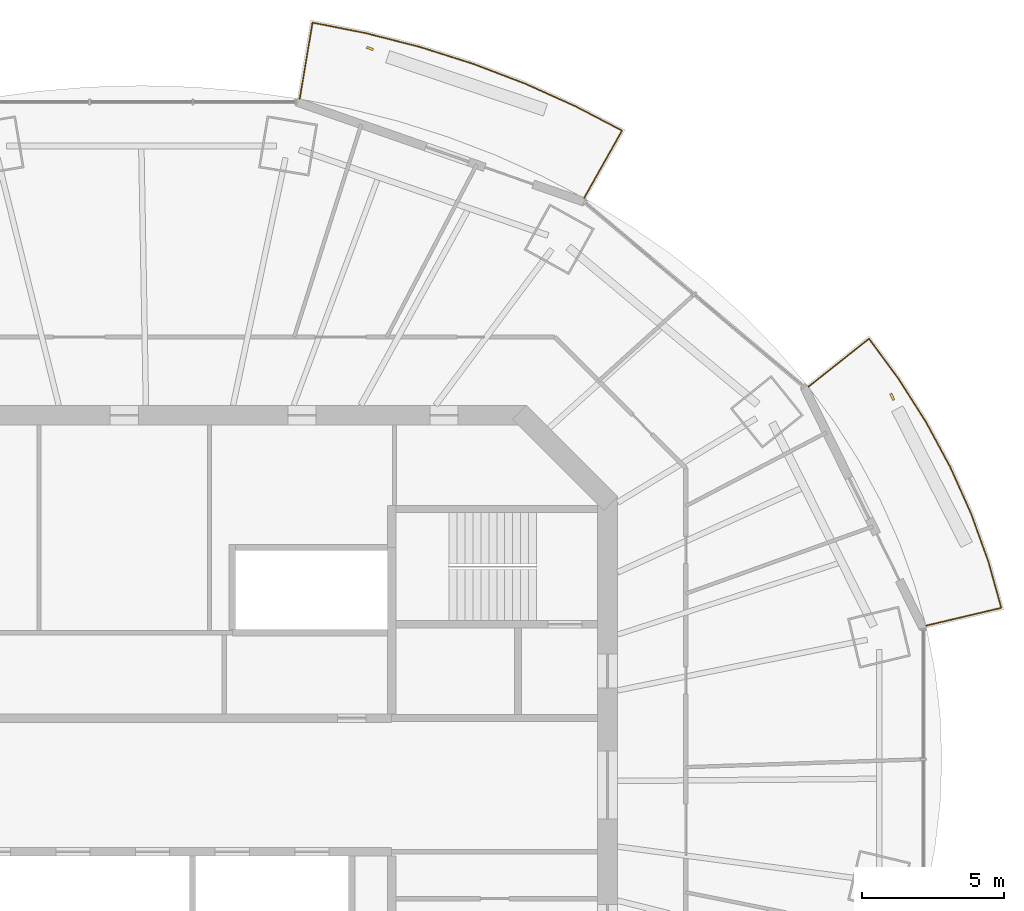
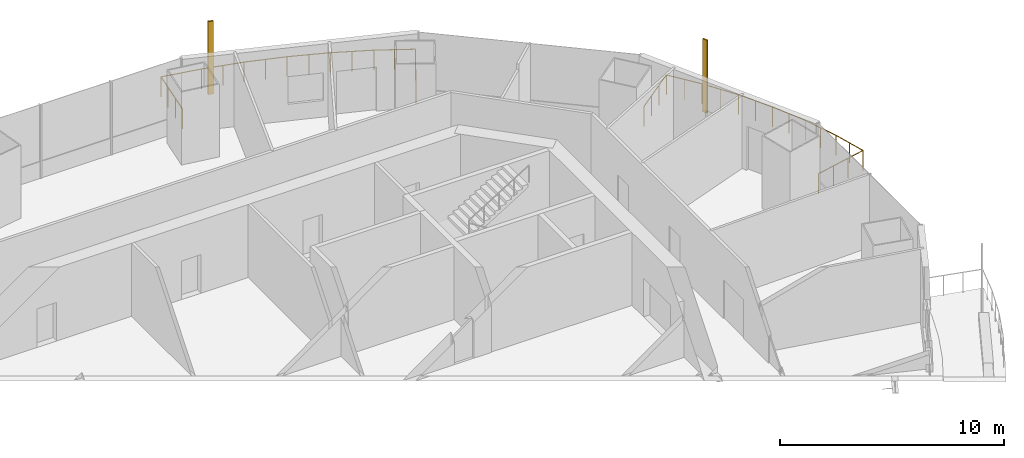
# One storey, part 15 of 16: 2 railings, 2 shading devices.
"""IFC4 building model written with IfcOpenShell, lengths in metres."""

from ifc_helpers import new_model, si_unit, direction, frame, origin, origin_2d, place, context, subcontext, project, spatial, rectangle, circle, extrude, material, material_profile, profile_set, type_object, element, save


model = new_model("IFC4")

# Units and contexts
model_context = context("Model", 3, precision=1e-05, world=origin(), true_north=direction((0.0, 1.0)))
body_context = subcontext(model_context, "Body", "Model", "MODEL_VIEW")
ifc_project = project(units=[si_unit("LENGTHUNIT", "METRE"), si_unit("AREAUNIT", "SQUARE_METRE"), si_unit("VOLUMEUNIT", "CUBIC_METRE"), si_unit("PLANEANGLEUNIT", "RADIAN"), si_unit("MASSUNIT", "GRAM", prefix="KILO")], contexts=[model_context])

# Site, building, storey
site_placement = place(None, origin())
site = spatial("IfcSite", under=ifc_project, at=site_placement, CompositionType="ELEMENT")
building_placement = place(site_placement, origin())
building = spatial("IfcBuilding", under=site, at=building_placement, Name="Marenthal Gate Tower", CompositionType="ELEMENT")
storey_placement = place(building_placement, frame((0.0, 0.0, 313.550048828125)))
storey = spatial("IfcBuildingStorey", under=building, at=storey_placement, Name="L70", CompositionType="ELEMENT", Elevation=313.550048828125)

# Railings
ifc_material_1 = material(Name="Stainless steel", Category="steel")
railing_type = type_object("IfcRailingType", Name="Balcony guard 1100", PredefinedType="GUARDRAIL", material=ifc_material_1)
railing_1_placement = place(storey_placement, frame((23.058837890625, 14.0, 0.0)))
element("IfcRailing", 1, at=railing_1_placement, inside=storey, type_object=railing_type, Name="Balcony guard L70 bay 1", PredefinedType="GUARDRAIL", context=body_context, shape_type="SweptSolid", body=[
    extrude(circle(Radius=0.02392578125, at=origin_2d()), frame((0.0, 0.0, 1.076171875), z_axis=(0.783412805751, 0.621327397665, -0.014718719228), x_axis=(-0.621394711002, 0.78349767909, 0.0)), (0.0, 0.0, 1.0), 2.72021484375),
    extrude(circle(Radius=0.02392578125, at=origin_2d()), frame((2.131103515625, 1.690185546875, 1.0361328125), z_axis=(0.593022623899, -0.805185796909, 0.0), x_axis=(0.805185796909, 0.593022623899, 0.0)), (0.0, 0.0, 1.0), 1.746826171875),
    extrude(circle(Radius=0.02392578125, at=origin_2d()), frame((3.1669921875, 0.28369140625, 1.0361328125), z_axis=(0.536108654335, -0.844148986108, 0.0), x_axis=(0.844148986108, 0.536108654335, 0.0)), (0.0, 0.0, 1.0), 1.8134765625),
    extrude(circle(Radius=0.02392578125, at=origin_2d()), frame((4.13916015625, -1.2470703125, 1.0361328125), z_axis=(0.473954337588, -0.880549422736, 0.0), x_axis=(0.880549422736, 0.473954337588, 0.0)), (0.0, 0.0, 1.0), 1.80126953125),
    extrude(circle(Radius=0.02392578125, at=origin_2d()), frame((4.992919921875, -2.833251953125, 1.0361328125), z_axis=(0.408186684853, -0.912898477547, 0.0), x_axis=(0.912898477547, 0.408186684853, 0.0)), (0.0, 0.0, 1.0), 1.790771484375),
    extrude(circle(Radius=0.02392578125, at=origin_2d()), frame((5.723876953125, -4.468017578125, 1.0361328125), z_axis=(0.33912231199, -0.940742290699, 0.0), x_axis=(0.940742290699, 0.33912231199, 0.0)), (0.0, 0.0, 1.0), 1.781005859375),
    extrude(circle(Radius=0.02392578125, at=origin_2d()), frame((6.327880859375, -6.1435546875, 1.0361328125), z_axis=(0.268699441424, -0.963224070598, 0.0), x_axis=(0.963224070598, 0.268699441424, 0.0)), (0.0, 0.0, 1.0), 1.693603515625),
    extrude(circle(Radius=0.02392578125, at=origin_2d()), frame((6.782958984375, -7.77490234375, 1.0361328125), z_axis=(-0.973117172157, -0.229839811666, 0.014718363574), x_axis=(0.229864710837, -0.973222592582, 0.0)), (0.0, 0.0, 1.0), 2.720458984375),
    extrude(circle(Radius=0.02099609375, at=origin_2d()), origin(), (0.0, 0.0, 1.0), 1.052001953125),
    extrude(circle(Radius=0.02099609375, at=origin_2d()), frame((0.71044921875, 0.5634765625, -0.013427734375)), (0.0, 0.0, 1.0), 1.052001953125),
    extrude(circle(Radius=0.02099609375, at=origin_2d()), frame((1.420654296875, 1.126708984375, -0.026611328125)), (0.0, 0.0, 1.0), 1.052001953125),
    extrude(circle(Radius=0.02099609375, at=origin_2d()), frame((2.131103515625, 1.690185546875, -0.0400390625)), (0.0, 0.0, 1.0), 1.052001953125),
    extrude(circle(Radius=0.02099609375, at=origin_2d()), frame((2.64892578125, 0.98681640625, -0.0400390625)), (0.0, 0.0, 1.0), 1.052001953125),
    extrude(circle(Radius=0.02099609375, at=origin_2d()), frame((3.1669921875, 0.28369140625, -0.0400390625)), (0.0, 0.0, 1.0), 1.052001953125),
    extrude(circle(Radius=0.02099609375, at=origin_2d()), frame((3.653076171875, -0.481689453125, -0.0400390625)), (0.0, 0.0, 1.0), 1.052001953125),
    extrude(circle(Radius=0.02099609375, at=origin_2d()), frame((4.13916015625, -1.2470703125, -0.0400390625)), (0.0, 0.0, 1.0), 1.052001953125),
    extrude(circle(Radius=0.02099609375, at=origin_2d()), frame((4.56591796875, -2.0400390625, -0.0400390625)), (0.0, 0.0, 1.0), 1.052001953125),
    extrude(circle(Radius=0.02099609375, at=origin_2d()), frame((4.992919921875, -2.833251953125, -0.0400390625)), (0.0, 0.0, 1.0), 1.052001953125),
    extrude(circle(Radius=0.02099609375, at=origin_2d()), frame((5.3583984375, -3.650634765625, -0.0400390625)), (0.0, 0.0, 1.0), 1.052001953125),
    extrude(circle(Radius=0.02099609375, at=origin_2d()), frame((5.723876953125, -4.468017578125, -0.0400390625)), (0.0, 0.0, 1.0), 1.052001953125),
    extrude(circle(Radius=0.02099609375, at=origin_2d()), frame((6.02587890625, -5.3056640625, -0.0400390625)), (0.0, 0.0, 1.0), 1.052001953125),
    extrude(circle(Radius=0.02099609375, at=origin_2d()), frame((6.327880859375, -6.1435546875, -0.0400390625)), (0.0, 0.0, 1.0), 1.052001953125),
    extrude(circle(Radius=0.02099609375, at=origin_2d()), frame((6.555419921875, -6.959228515625, -0.0400390625)), (0.0, 0.0, 1.0), 1.052001953125),
    extrude(circle(Radius=0.02099609375, at=origin_2d()), frame((6.782958984375, -7.77490234375, -0.0400390625)), (0.0, 0.0, 1.0), 1.052001953125),
    extrude(circle(Radius=0.02099609375, at=origin_2d()), frame((5.900634765625, -7.9833984375, -0.026611328125)), (0.0, 0.0, 1.0), 1.052001953125),
    extrude(circle(Radius=0.02099609375, at=origin_2d()), frame((5.01806640625, -8.191650390625, -0.013427734375)), (0.0, 0.0, 1.0), 1.052001953125),
    extrude(circle(Radius=0.02099609375, at=origin_2d()), frame((4.1357421875, -8.400146484375, 0.0)), (0.0, 0.0, 1.0), 1.052001953125),
])
railing_2_placement = place(storey_placement, frame((5.17138671875, 24.12353515625, 0.0)))
element("IfcRailing", 2, at=railing_2_placement, inside=storey, type_object=railing_type, Name="Balcony guard L70 bay 3", PredefinedType="GUARDRAIL", context=body_context, shape_type="SweptSolid", body=[
    extrude(circle(Radius=0.02392578125, at=origin_2d()), frame((0.0, 0.0, 1.076171875), z_axis=(0.165225230724, 0.986146026723, -0.014718597414), x_axis=(-0.986252861995, 0.165243130591, 0.0)), (0.0, 0.0, 1.0), 2.72021484375),
    extrude(circle(Radius=0.02392578125, at=origin_2d()), frame((0.449462890625, 2.6826171875, 1.0361328125), z_axis=(0.981061826101, -0.193694846002, 0.0), x_axis=(0.193694846002, 0.981061826101, 0.0)), (0.0, 0.0, 1.0), 1.900634765625),
    extrude(circle(Radius=0.02392578125, at=origin_2d()), frame((2.314208984375, 2.314453125, 1.0361328125), z_axis=(0.968929698625, -0.247336287518, 0.0), x_axis=(0.247336287518, 0.968929698625, 0.0)), (0.0, 0.0, 1.0), 1.97314453125),
    extrude(circle(Radius=0.02392578125, at=origin_2d()), frame((4.22607421875, 1.826416015625, 1.0361328125), z_axis=(0.953300483084, -0.302023490729, 0.0), x_axis=(0.302023490729, 0.953300483084, 0.0)), (0.0, 0.0, 1.0), 1.96435546875),
    extrude(circle(Radius=0.02392578125, at=origin_2d()), frame((6.0986328125, 1.233154296875, 1.0361328125), z_axis=(0.93439466909, -0.356239529497, 0.0), x_axis=(0.356239529497, 0.93439466909, 0.0)), (0.0, 0.0, 1.0), 1.953857421875),
    extrude(circle(Radius=0.02392578125, at=origin_2d()), frame((7.92431640625, 0.537109375, 1.0361328125), z_axis=(0.911961495796, -0.410275797709, 0.0), x_axis=(0.410275797709, 0.911961495796, 0.0)), (0.0, 0.0, 1.0), 1.941650390625),
    extrude(circle(Radius=0.02392578125, at=origin_2d()), frame((9.695068359375, -0.259521484375, 1.0361328125), z_axis=(0.88661074156, -0.462516370467, 0.0), x_axis=(0.462516370467, 0.88661074156, 0.0)), (0.0, 0.0, 1.0), 1.84912109375),
    extrude(circle(Radius=0.02392578125, at=origin_2d()), frame((11.33447265625, -1.11474609375, 1.0361328125), z_axis=(-0.490391346697, -0.871378035337, 0.014718920362), x_axis=(0.871472441229, -0.490444476143, 0.0)), (0.0, 0.0, 1.0), 2.72021484375),
    extrude(circle(Radius=0.02099609375, at=origin_2d()), origin(), (0.0, 0.0, 1.0), 1.052001953125),
    extrude(circle(Radius=0.02099609375, at=origin_2d()), frame((0.14990234375, 0.894287109375, -0.013427734375)), (0.0, 0.0, 1.0), 1.052001953125),
    extrude(circle(Radius=0.02099609375, at=origin_2d()), frame((0.299560546875, 1.788330078125, -0.026611328125)), (0.0, 0.0, 1.0), 1.052001953125),
    extrude(circle(Radius=0.02099609375, at=origin_2d()), frame((0.449462890625, 2.6826171875, -0.0400390625)), (0.0, 0.0, 1.0), 1.052001953125),
    extrude(circle(Radius=0.02099609375, at=origin_2d()), frame((1.3818359375, 2.49853515625, -0.0400390625)), (0.0, 0.0, 1.0), 1.052001953125),
    extrude(circle(Radius=0.02099609375, at=origin_2d()), frame((2.314208984375, 2.314453125, -0.0400390625)), (0.0, 0.0, 1.0), 1.052001953125),
    extrude(circle(Radius=0.02099609375, at=origin_2d()), frame((3.27001953125, 2.0703125, -0.0400390625)), (0.0, 0.0, 1.0), 1.052001953125),
    extrude(circle(Radius=0.02099609375, at=origin_2d()), frame((4.22607421875, 1.826416015625, -0.0400390625)), (0.0, 0.0, 1.0), 1.052001953125),
    extrude(circle(Radius=0.02099609375, at=origin_2d()), frame((5.162353515625, 1.52978515625, -0.0400390625)), (0.0, 0.0, 1.0), 1.052001953125),
    extrude(circle(Radius=0.02099609375, at=origin_2d()), frame((6.0986328125, 1.233154296875, -0.0400390625)), (0.0, 0.0, 1.0), 1.052001953125),
    extrude(circle(Radius=0.02099609375, at=origin_2d()), frame((7.011474609375, 0.88525390625, -0.0400390625)), (0.0, 0.0, 1.0), 1.052001953125),
    extrude(circle(Radius=0.02099609375, at=origin_2d()), frame((7.92431640625, 0.537109375, -0.0400390625)), (0.0, 0.0, 1.0), 1.052001953125),
    extrude(circle(Radius=0.02099609375, at=origin_2d()), frame((8.8095703125, 0.138671875, -0.0400390625)), (0.0, 0.0, 1.0), 1.052001953125),
    extrude(circle(Radius=0.02099609375, at=origin_2d()), frame((9.695068359375, -0.259521484375, -0.0400390625)), (0.0, 0.0, 1.0), 1.052001953125),
    extrude(circle(Radius=0.02099609375, at=origin_2d()), frame((10.5146484375, -0.68701171875, -0.0400390625)), (0.0, 0.0, 1.0), 1.052001953125),
    extrude(circle(Radius=0.02099609375, at=origin_2d()), frame((11.33447265625, -1.11474609375, -0.0400390625)), (0.0, 0.0, 1.0), 1.052001953125),
    extrude(circle(Radius=0.02099609375, at=origin_2d()), frame((10.889892578125, -1.90478515625, -0.026611328125)), (0.0, 0.0, 1.0), 1.052001953125),
    extrude(circle(Radius=0.02099609375, at=origin_2d()), frame((10.445068359375, -2.695068359375, -0.013427734375)), (0.0, 0.0, 1.0), 1.052001953125),
    extrude(circle(Radius=0.02099609375, at=origin_2d()), frame((10.00048828125, -3.485107421875, 0.0)), (0.0, 0.0, 1.0), 1.052001953125),
])

# Shading devices
ifc_material_2 = material(Name="Terracotta", Category="masonry")
ifc_material_profile = material_profile(ifc_material_2, rectangle(XDim=0.25, YDim=0.080078125, at=origin_2d()), Name="Terracotta baguette 250x80")
ifc_profile_set = profile_set([ifc_material_profile], Name="Terracotta")
shading_device_type = type_object("IfcShadingDeviceType", Name="Terracotta BAGUETTE SCREEN 250x80", PredefinedType="USERDEFINED", material=ifc_profile_set)
for number, where, z_axis, x_axis, name in (
    (3, (26.009765625, 13.644775390625, -0.0400390625), (0.0, 0.0, 1.0), (-0.441517596382, 0.897252591016, 0.0), "Terracotta BAGUETTE L70 bay 1R"),
    (4, (7.64013671875, 25.897705078125, -0.0400390625), (0.0, 0.0, 1.0), (-0.944249095616, 0.329231902203, 0.0), "Terracotta BAGUETTE L70 bay 3R"),
):
    element("IfcShadingDevice", number, at=place(storey_placement, frame(where, z_axis=z_axis, x_axis=x_axis)), inside=storey, type_object=shading_device_type, Name=name, ObjectType="BAGUETTE SCREEN", PredefinedType="USERDEFINED", context=body_context, shape_type="SweptSolid", body=[
        extrude(rectangle(XDim=0.25, YDim=0.080078125, at=origin_2d()), origin(), (0.0, 0.0, 1.0), 3.969970703125),
    ])

save(model, "model.ifc")
